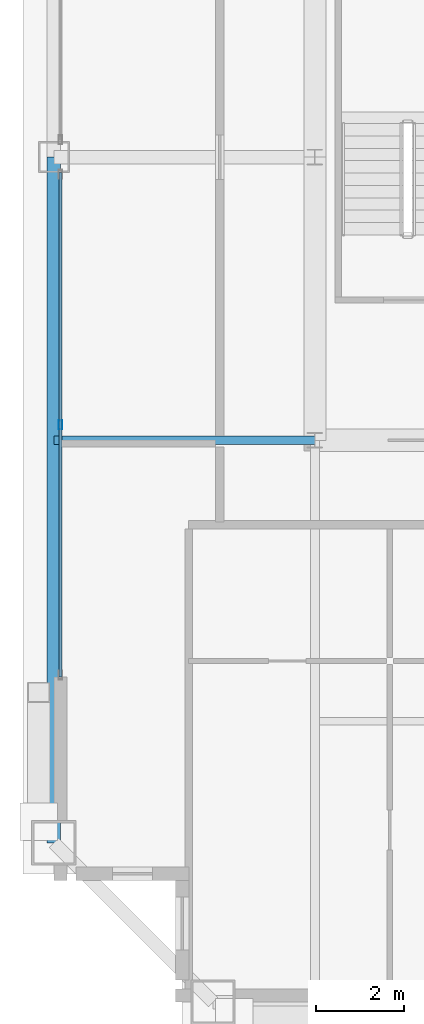
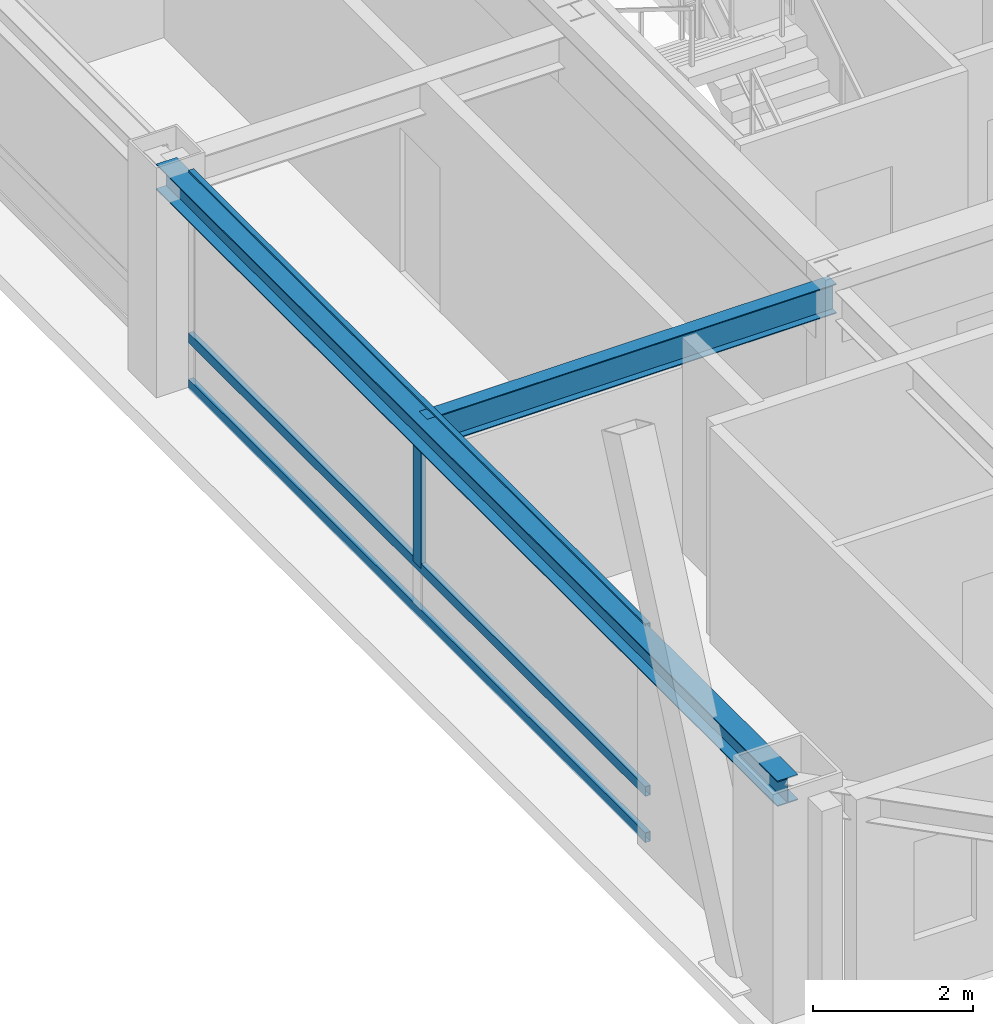
# One storey, part 7 of 34: 4 members, 2 beams, 1 element without a shape of its own.
"""IFC4 building model written with IfcOpenShell, lengths in metres."""

from ifc_helpers import new_model, si_unit, direction, frame, origin, origin_2d, place, context, subcontext, project, spatial, hollow_rectangle, i_section, extrude, source, transform, mapped, material, layer, layer_set, material_profile, profile_set, type_object, element, aggregate, save


model = new_model("IFC4")

# Units and contexts
model_context = context("Model", 3, precision=1e-05, world=origin(), true_north=direction((0.0, 1.0)))
body_context = subcontext(model_context, "Body", "Model", "MODEL_VIEW")
ifc_project = project(units=[si_unit("LENGTHUNIT", "METRE"), si_unit("AREAUNIT", "SQUARE_METRE"), si_unit("VOLUMEUNIT", "CUBIC_METRE"), si_unit("PLANEANGLEUNIT", "RADIAN"), si_unit("MASSUNIT", "GRAM", prefix="KILO"), si_unit("THERMODYNAMICTEMPERATUREUNIT", "KELVIN"), si_unit("POWERUNIT", "WATT")], contexts=[model_context])

# Site, building, storey
site_placement = place(None, origin())
site = spatial("IfcSite", under=ifc_project, at=site_placement, CompositionType="ELEMENT")
building_placement = place(site_placement, origin())
building = spatial("IfcBuilding", under=site, at=building_placement, Name="Yuzanri Waterfront Tower", CompositionType="ELEMENT")
storey_placement = place(building_placement, frame((0.0, 0.0, 328.699951171875)))
storey = spatial("IfcBuildingStorey", under=building, at=storey_placement, Name="L88", CompositionType="ELEMENT", Elevation=328.699951171875)

# Beams
ifc_material_1 = material(Name="Steel Q355B", Category="steel")
ifc_material_profile_1 = material_profile(ifc_material_1, i_section(OverallWidth=0.300048828125, OverallDepth=0.389892578125, WebThickness=0.010009765625, FlangeThickness=0.01611328125, at=origin_2d()), Name="HM 390x300x10x16")
ifc_profile_set_1 = profile_set([ifc_material_profile_1], Name="Steel Q355B")
beam_type_1 = type_object("IfcBeamType", Name="Perimeter Spandrel Q355B HM 390x300", PredefinedType="SPANDREL", material=ifc_profile_set_1)
shared_shape_1 = source(origin(), body_context, "Body", "SweptSolid", [
    extrude(i_section(OverallWidth=0.300048828125, OverallDepth=0.389892578125, WebThickness=0.010009765625, FlangeThickness=0.01611328125, at=origin_2d()), origin(), (0.0, 0.0, 1.0), 15.5),
])
beam_1_placement = place(storey_placement, frame((17.89990234375, 25.800048828125, 3.0849609375), z_axis=(0.0, -1.0, 0.0), x_axis=(1.0, 0.0, 0.0)))
element("IfcBeam", 1, at=beam_1_placement, inside=storey, type_object=beam_type_1, Name="L88 Perimeter Spandrel W2-W1", PredefinedType="SPANDREL", context=body_context, shape_type="MappedRepresentation", body=[
    mapped(shared_shape_1, transform((0.0, 0.0, 0.0), scale=1.0)),
])
ifc_material_2 = material(Name="Steel Q355B", Category="steel")
ifc_material_profile_2 = material_profile(ifc_material_2, i_section(OverallWidth=0.199951171875, OverallDepth=0.449951171875, WebThickness=0.009033203125, FlangeThickness=0.013916015625, at=origin_2d()), Name="HN 450x200x9x14")
ifc_profile_set_2 = profile_set([ifc_material_profile_2], Name="Steel Q355B")
beam_type_2 = type_object("IfcBeamType", Name="Secondary Floor Beam Q355B HN 450x200", PredefinedType="BEAM", material=ifc_profile_set_2)
shared_shape_2 = source(origin(), body_context, "Body", "SweptSolid", [
    extrude(i_section(OverallWidth=0.199951171875, OverallDepth=0.449951171875, WebThickness=0.009033203125, FlangeThickness=0.013916015625, at=origin_2d()), origin(), (0.0, 0.0, 1.0), 5.900146484375),
])
beam_2_placement = place(storey_placement, frame((23.800048828125, 19.39990234375, 3.054931640625), z_axis=(-1.0, 0.0, 0.0), x_axis=(0.0, -1.0, 0.0)))
element("IfcBeam", 2, at=beam_2_placement, inside=storey, type_object=beam_type_2, Name="L88 West-South Core Line Beam", PredefinedType="BEAM", context=body_context, shape_type="MappedRepresentation", body=[
    mapped(shared_shape_2, transform((0.0, 0.0, 0.0), scale=1.0)),
])

# Curtain wall, members
ifc_material_3 = material(Name="Anodized Architectural Bronze", Category="metal")
ifc_layer = layer(ifc_material_3, 0.159912109375)
ifc_layer_set = layer_set([ifc_layer], Name="Anodized Architectural Bronze")
curtain_wall_type = type_object("IfcCurtainWallType", Name="Anodized Bronze High-Rise Penthouse High-Wind Unitized Curtain Wall 6900", PredefinedType="NOTDEFINED", material=ifc_layer_set)
curtain_wall_placement = place(storey_placement, origin())
curtain_wall = element("IfcCurtainWall", 3, at=curtain_wall_placement, inside=storey, type_object=curtain_wall_type, Name="L88 Curtain Wall CW-L88-WL", PredefinedType="NOTDEFINED")
ifc_material_4 = material(Name="Anodized Architectural Bronze", Category="metal")
ifc_material_profile_3 = material_profile(ifc_material_4, hollow_rectangle(XDim=0.074951171875, YDim=0.199951171875, WallThickness=0.00390625, at=origin_2d()), Name="CWM 75x200")
ifc_profile_set_3 = profile_set([ifc_material_profile_3], Name="Anodized Architectural Bronze")
member_type_1 = type_object("IfcMemberType", Name="Anodized Bronze Primary Curtain-Wall Mullion 75x200", PredefinedType="MULLION", material=ifc_profile_set_3)
shared_shape_3 = source(origin(), body_context, "Body", "SweptSolid", [
    extrude(hollow_rectangle(XDim=0.074951171875, YDim=0.199951171875, WallThickness=0.00390625, at=origin_2d()), origin(), (0.0, 0.0, 1.0), 2.52392578125),
])
member_1_placement = place(storey_placement, frame((18.050048828125, 19.75, 0.756103515625), z_axis=(0.0, 0.0, 1.0), x_axis=(1.0, 0.0, 0.0)))
member_1 = element("IfcMember", 4, at=member_1_placement, type_object=member_type_1, Name="CW-L88-WL Upper Mullion 01", PredefinedType="MULLION", context=body_context, shape_type="MappedRepresentation", body=[
    mapped(shared_shape_3, transform((0.0, 0.0, 0.0), scale=1.0)),
])
ifc_material_5 = material(Name="Anodized Architectural Bronze", Category="metal")
ifc_material_profile_4 = material_profile(ifc_material_5, hollow_rectangle(XDim=0.074951171875, YDim=0.14990234375, WallThickness=0.00390625, at=origin_2d()), Name="CWT 75x150")
ifc_profile_set_4 = profile_set([ifc_material_profile_4], Name="Anodized Architectural Bronze")
member_type_2 = type_object("IfcMemberType", Name="Anodized Bronze Primary Curtain-Wall Transom 75x150", PredefinedType="USERDEFINED", material=ifc_profile_set_4)
shared_shape_4 = source(origin(), body_context, "Body", "SweptSolid", [
    extrude(hollow_rectangle(XDim=0.074951171875, YDim=0.14990234375, WallThickness=0.00390625, at=origin_2d()), origin(), (0.0, 0.0, 1.0), 11.39990234375),
])
member_2_placement = place(storey_placement, frame((18.050048828125, 14.050048828125, 0.050048828125), z_axis=(0.0, 1.0, 0.0), x_axis=(-1.0, 0.0, 0.0)))
member_2 = element("IfcMember", 5, at=member_2_placement, type_object=member_type_2, Name="CW-L88-WL Transom 1", ObjectType="TRANSOM", PredefinedType="USERDEFINED", context=body_context, shape_type="MappedRepresentation", body=[
    mapped(shared_shape_4, transform((0.0, 0.0, 0.0), scale=1.0)),
])
member_3_placement = place(storey_placement, frame((18.050048828125, 14.050048828125, 0.754150390625), z_axis=(0.0, 1.0, 0.0), x_axis=(-1.0, 0.0, 0.0)))
member_3 = element("IfcMember", 6, at=member_3_placement, type_object=member_type_2, Name="CW-L88-WL Transom 2", ObjectType="TRANSOM", PredefinedType="USERDEFINED", context=body_context, shape_type="MappedRepresentation", body=[
    mapped(shared_shape_4, transform((0.0, 0.0, 0.0), scale=1.0)),
])
member_4_placement = place(storey_placement, frame((18.050048828125, 14.050048828125, 3.22998046875), z_axis=(0.0, 1.0, 0.0), x_axis=(-1.0, 0.0, 0.0)))
member_4 = element("IfcMember", 7, at=member_4_placement, type_object=member_type_2, Name="CW-L88-WL Transom 3", ObjectType="TRANSOM", PredefinedType="USERDEFINED", context=body_context, shape_type="MappedRepresentation", body=[
    mapped(shared_shape_4, transform((0.0, 0.0, 0.0), scale=1.0)),
])
aggregate(curtain_wall, [member_1, member_2, member_3, member_4])

save(model, "model.ifc")
